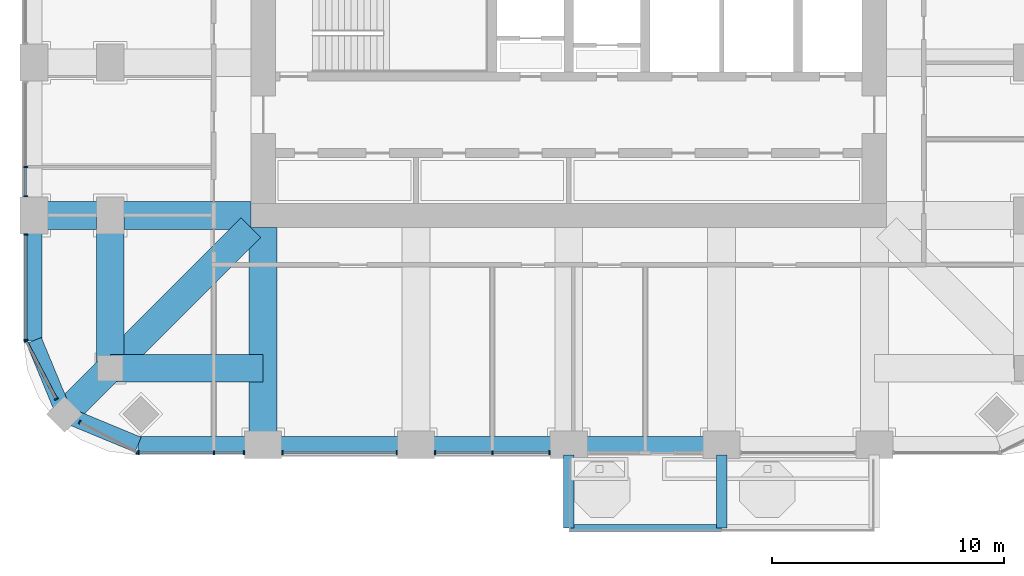
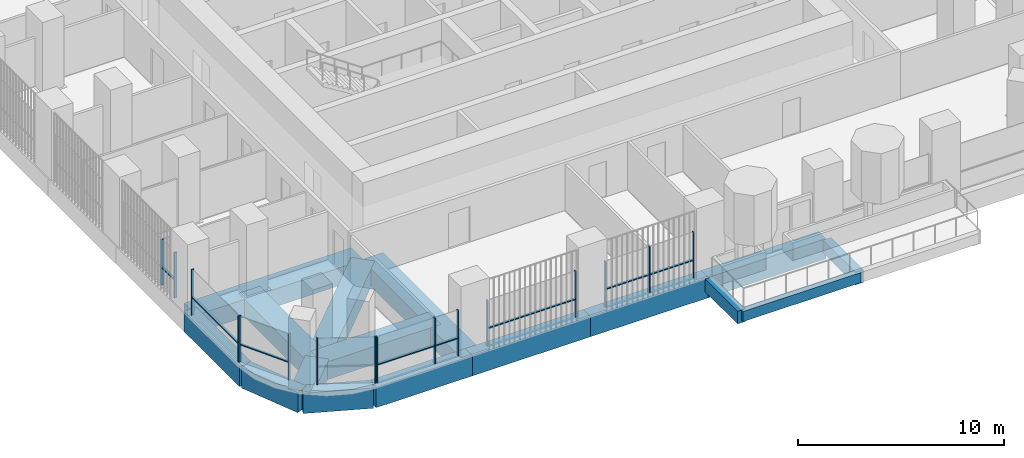
# One storey, part 2 of 19: 24 members, 16 beams, 7 elements without a shape of their own.
"""IFC4 building model written with IfcOpenShell, lengths in metres."""

from ifc_helpers import new_model, si_unit, direction, frame, origin, origin_2d, place, context, subcontext, project, spatial, rectangle, extrude, material, material_profile, profile_set, type_object, element, aggregate, save


model = new_model("IFC4")

# Units and contexts
model_context = context("Model", 3, precision=1e-05, world=origin(), true_north=direction((0.0, 1.0)))
body_context = subcontext(model_context, "Body", "Model", "MODEL_VIEW")
ifc_project = project(units=[si_unit("LENGTHUNIT", "METRE"), si_unit("AREAUNIT", "SQUARE_METRE"), si_unit("VOLUMEUNIT", "CUBIC_METRE"), si_unit("PLANEANGLEUNIT", "RADIAN"), si_unit("MASSUNIT", "GRAM", prefix="KILO")], contexts=[model_context])

# Site, building, storey
site_placement = place(None, origin())
site = spatial("IfcSite", under=ifc_project, at=site_placement, CompositionType="ELEMENT")
building_placement = place(site_placement, origin())
building = spatial("IfcBuilding", under=site, at=building_placement, Name="Cobogo Forest Laboratory Tower", CompositionType="ELEMENT")
storey_placement = place(building_placement, frame((0.0, 0.0, 197.699951171875)))
storey = spatial("IfcBuildingStorey", under=building, at=storey_placement, Name="L45", CompositionType="ELEMENT", Elevation=197.699951171875)

# Beams
ifc_material_1 = material(Name="Concrete HA-40 (C40/50)", Category="concrete")
ifc_material_profile_1 = material_profile(ifc_material_1, rectangle(XDim=0.449951171875, YDim=0.75, at=origin_2d()), Name="RC 450x750")
ifc_profile_set_1 = profile_set([ifc_material_profile_1], Name="Concrete HA-40 (C40/50)")
beam_type_1 = type_object("IfcBeamType", Name="Balcony cantilever beam 450x750", PredefinedType="BEAM", material=ifc_profile_set_1)
for number, where, z_axis, x_axis, name in (
    (1, (26.39990234375, 2.85009765625, -0.625), (0.0, -1.0, 0.0), (1.0, 0.0, 0.0), "CB1 BAL-S1-C1 L45"),
    (2, (33.0, 2.85009765625, -0.625), (0.0, -1.0, 0.0), (1.0, 0.0, 0.0), "CB1 BAL-S1-C2 L45"),
):
    element("IfcBeam", number, at=place(storey_placement, frame(where, z_axis=z_axis, x_axis=x_axis)), inside=storey, type_object=beam_type_1, Name=name, PredefinedType="BEAM", context=body_context, shape_type="SweptSolid", body=[
        extrude(rectangle(XDim=0.449951171875, YDim=0.75, at=origin_2d()), origin(), (0.0, 0.0, 1.0), 3.150146484375),
    ])
ifc_material_profile_2 = material_profile(ifc_material_1, rectangle(XDim=0.300048828125, YDim=0.60009765625, at=origin_2d()), Name="RC 300x600")
ifc_profile_set_2 = profile_set([ifc_material_profile_2], Name="Concrete HA-40 (C40/50)")
beam_type_2 = type_object("IfcBeamType", Name="Balcony edge beam 300x600", PredefinedType="BEAM", material=ifc_profile_set_2)
beam_1_placement = place(storey_placement, frame((26.39990234375, -0.300048828125, -0.550048828125), z_axis=(1.0, 0.0, 0.0), x_axis=(0.0, 1.0, 0.0)))
element("IfcBeam", 3, at=beam_1_placement, inside=storey, type_object=beam_type_2, Name="BB1 BAL-S1-T1 L45", PredefinedType="BEAM", context=body_context, shape_type="SweptSolid", body=[
    extrude(rectangle(XDim=0.300048828125, YDim=0.60009765625, at=origin_2d()), origin(), (0.0, 0.0, 1.0), 6.60009765625),
])
ifc_material_profile_3 = material_profile(ifc_material_1, rectangle(XDim=1.199951171875, YDim=1.050048828125, at=origin_2d()), Name="RC 1200x1050")
ifc_profile_set_3 = profile_set([ifc_material_profile_3], Name="Concrete HA-40 (C40/50)")
beam_type_3 = type_object("IfcBeamType", Name="Laboratory floor wide beam 1200x1050", PredefinedType="BEAM", material=ifc_profile_set_3)
for number, where, z_axis, x_axis, name in (
    (4, (13.199951171875, 12.675048828125, -0.824951171875), (0.0, -1.0, 0.0), (1.0, 0.0, 0.0), "RB1 R-3-S L45"),
    (5, (12.675048828125, 13.199951171875, -0.824951171875), (-1.0, 0.0, 0.0), (0.0, -1.0, 0.0), "RB1 R-C-W L45"),
):
    element("IfcBeam", number, at=place(storey_placement, frame(where, z_axis=z_axis, x_axis=x_axis)), inside=storey, type_object=beam_type_3, Name=name, PredefinedType="BEAM", context=body_context, shape_type="SweptSolid", body=[
        extrude(rectangle(XDim=1.199951171875, YDim=1.050048828125, at=origin_2d()), origin(), (0.0, 0.0, 1.0), 9.375),
    ])
for number, where, z_axis, x_axis, name in (
    (6, (6.60009765625, 6.60009765625, -0.824951171875), (0.0, 1.0, 0.0), (-1.0, 0.0, 0.0), "RB1 G-SW-XC L45"),
    (7, (6.60009765625, 6.60009765625, -0.824951171875), (1.0, 0.0, 0.0), (0.0, 1.0, 0.0), "RB1 G-SW-YC L45"),
):
    element("IfcBeam", number, at=place(storey_placement, frame(where, z_axis=z_axis, x_axis=x_axis)), inside=storey, type_object=beam_type_3, Name=name, PredefinedType="BEAM", context=body_context, shape_type="SweptSolid", body=[
        extrude(rectangle(XDim=1.199951171875, YDim=1.050048828125, at=origin_2d()), origin(), (0.0, 0.0, 1.0), 6.599853515625),
    ])
beam_2_placement = place(storey_placement, frame((4.617919921875, 4.617919921875, -0.824951171875), z_axis=(0.707106781187, 0.707106781187, 0.0), x_axis=(-0.707106781187, 0.707106781187, 0.0)))
element("IfcBeam", 8, at=beam_2_placement, inside=storey, type_object=beam_type_3, Name="RB1 G-SW-D1 L45", PredefinedType="BEAM", context=body_context, shape_type="SweptSolid", body=[
    extrude(rectangle(XDim=1.199951171875, YDim=1.050048828125, at=origin_2d()), origin(), (0.0, 0.0, 1.0), 2.80322265625),
])
beam_3_placement = place(storey_placement, frame((6.60009765625, 6.60009765625, -0.824951171875), z_axis=(0.707106781187, 0.707106781187, 0.0), x_axis=(-0.707106781187, 0.707106781187, 0.0)))
element("IfcBeam", 9, at=beam_3_placement, inside=storey, type_object=beam_type_3, Name="RB1 G-SW-D2 L45", PredefinedType="BEAM", context=body_context, shape_type="SweptSolid", body=[
    extrude(rectangle(XDim=1.199951171875, YDim=1.050048828125, at=origin_2d()), origin(), (0.0, 0.0, 1.0), 8.59130859375),
])

# Curtain wall, members
ifc_material_2 = material(Name="Aluminium curtain wall", Category="aluminium")
curtain_wall_type = type_object("IfcCurtainWallType", Name="CW-2 unitised curtain wall, solar control glazing, laboratory floors zones C and D", PredefinedType="USERDEFINED", material=ifc_material_2)
curtain_wall_1_placement = place(storey_placement, origin())
curtain_wall_1 = element("IfcCurtainWall", 10, at=curtain_wall_1_placement, inside=storey, type_object=curtain_wall_type, Name="Curtain wall 01 L45", ObjectType="UNITISED CURTAIN WALL", PredefinedType="USERDEFINED")
ifc_material_3 = material(Name="Aluminium mullion", Category="aluminium")
ifc_material_profile_4 = material_profile(ifc_material_3, rectangle(XDim=0.06005859375, YDim=0.159912109375, at=origin_2d()), Name="AL 60x160")
ifc_profile_set_4 = profile_set([ifc_material_profile_4], Name="Aluminium mullion")
member_type_1 = type_object("IfcMemberType", Name="MU-1 aluminium mullion 60x160", PredefinedType="MULLION", material=ifc_profile_set_4)
member_1_placement = place(storey_placement, frame((7.830078125, 2.949951171875, 0.0), z_axis=(0.0, 0.0, 1.0), x_axis=(1.0, 0.0, 0.0)))
member_1 = element("IfcMember", 11, at=member_1_placement, type_object=member_type_1, Name="CW-2 mullion 1", PredefinedType="MULLION", context=body_context, shape_type="SweptSolid", body=[
    extrude(rectangle(XDim=0.06005859375, YDim=0.159912109375, at=origin_2d()), origin(), (0.0, 0.0, 1.0), 2.699951171875),
])
member_2_placement = place(storey_placement, frame((11.074951171875, 2.949951171875, 0.0), z_axis=(0.0, 0.0, 1.0), x_axis=(1.0, 0.0, 0.0)))
member_2 = element("IfcMember", 12, at=member_2_placement, type_object=member_type_1, Name="CW-2 mullion 2", PredefinedType="MULLION", context=body_context, shape_type="SweptSolid", body=[
    extrude(rectangle(XDim=0.06005859375, YDim=0.159912109375, at=origin_2d()), origin(), (0.0, 0.0, 1.0), 2.699951171875),
])
member_3_placement = place(storey_placement, frame((12.3701171875, 2.949951171875, 0.0), z_axis=(0.0, 0.0, 1.0), x_axis=(1.0, 0.0, 0.0)))
member_3 = element("IfcMember", 13, at=member_3_placement, type_object=member_type_1, Name="CW-2 mullion 3", PredefinedType="MULLION", context=body_context, shape_type="SweptSolid", body=[
    extrude(rectangle(XDim=0.06005859375, YDim=0.159912109375, at=origin_2d()), origin(), (0.0, 0.0, 1.0), 2.699951171875),
])

curtain_wall_2_placement = place(storey_placement, origin())
curtain_wall_2 = element("IfcCurtainWall", 14, at=curtain_wall_2_placement, inside=storey, type_object=curtain_wall_type, Name="Curtain wall 02 L45", ObjectType="UNITISED CURTAIN WALL", PredefinedType="USERDEFINED")
member_4_placement = place(storey_placement, frame((14.030029296875, 2.949951171875, 0.0), z_axis=(0.0, 0.0, 1.0), x_axis=(1.0, 0.0, 0.0)))
member_4 = element("IfcMember", 15, at=member_4_placement, type_object=member_type_1, Name="CW-2 mullion 1", PredefinedType="MULLION", context=body_context, shape_type="SweptSolid", body=[
    extrude(rectangle(XDim=0.06005859375, YDim=0.159912109375, at=origin_2d()), origin(), (0.0, 0.0, 1.0), 2.699951171875),
])
member_5_placement = place(storey_placement, frame((18.969970703125, 2.949951171875, 0.0), z_axis=(0.0, 0.0, 1.0), x_axis=(1.0, 0.0, 0.0)))
member_5 = element("IfcMember", 16, at=member_5_placement, type_object=member_type_1, Name="CW-2 mullion 2", PredefinedType="MULLION", context=body_context, shape_type="SweptSolid", body=[
    extrude(rectangle(XDim=0.06005859375, YDim=0.159912109375, at=origin_2d()), origin(), (0.0, 0.0, 1.0), 2.699951171875),
])

curtain_wall_3_placement = place(storey_placement, origin())
curtain_wall_3 = element("IfcCurtainWall", 17, at=curtain_wall_3_placement, inside=storey, type_object=curtain_wall_type, Name="Curtain wall 03 L45", ObjectType="UNITISED CURTAIN WALL", PredefinedType="USERDEFINED")
member_6_placement = place(storey_placement, frame((20.6298828125, 2.949951171875, 0.0), z_axis=(0.0, 0.0, 1.0), x_axis=(1.0, 0.0, 0.0)))
member_6 = element("IfcMember", 18, at=member_6_placement, type_object=member_type_1, Name="CW-2 mullion 1", PredefinedType="MULLION", context=body_context, shape_type="SweptSolid", body=[
    extrude(rectangle(XDim=0.06005859375, YDim=0.159912109375, at=origin_2d()), origin(), (0.0, 0.0, 1.0), 2.699951171875),
])
member_7_placement = place(storey_placement, frame((23.10009765625, 2.949951171875, 0.0), z_axis=(0.0, 0.0, 1.0), x_axis=(1.0, 0.0, 0.0)))
member_7 = element("IfcMember", 19, at=member_7_placement, type_object=member_type_1, Name="CW-2 mullion 2", PredefinedType="MULLION", context=body_context, shape_type="SweptSolid", body=[
    extrude(rectangle(XDim=0.06005859375, YDim=0.159912109375, at=origin_2d()), origin(), (0.0, 0.0, 1.0), 2.699951171875),
])
member_8_placement = place(storey_placement, frame((25.570068359375, 2.949951171875, 0.0), z_axis=(0.0, 0.0, 1.0), x_axis=(1.0, 0.0, 0.0)))
member_8 = element("IfcMember", 20, at=member_8_placement, type_object=member_type_1, Name="CW-2 mullion 3", PredefinedType="MULLION", context=body_context, shape_type="SweptSolid", body=[
    extrude(rectangle(XDim=0.06005859375, YDim=0.159912109375, at=origin_2d()), origin(), (0.0, 0.0, 1.0), 2.699951171875),
])

curtain_wall_4_placement = place(storey_placement, origin())
curtain_wall_4 = element("IfcCurtainWall", 21, at=curtain_wall_4_placement, inside=storey, type_object=curtain_wall_type, Name="Curtain wall 27 L45", ObjectType="UNITISED CURTAIN WALL", PredefinedType="USERDEFINED")
member_9_placement = place(storey_placement, frame((2.949951171875, 15.300048828125, 0.0), z_axis=(0.0, 0.0, 1.0), x_axis=(0.0, -1.0, 0.0)))
member_9 = element("IfcMember", 22, at=member_9_placement, type_object=member_type_1, Name="CW-2 mullion 2", PredefinedType="MULLION", context=body_context, shape_type="SweptSolid", body=[
    extrude(rectangle(XDim=0.06005859375, YDim=0.159912109375, at=origin_2d()), origin(), (0.0, 0.0, 1.0), 2.699951171875),
])
member_10_placement = place(storey_placement, frame((2.949951171875, 14.030029296875, 0.0), z_axis=(0.0, 0.0, 1.0), x_axis=(0.0, -1.0, 0.0)))
member_10 = element("IfcMember", 23, at=member_10_placement, type_object=member_type_1, Name="CW-2 mullion 3", PredefinedType="MULLION", context=body_context, shape_type="SweptSolid", body=[
    extrude(rectangle(XDim=0.06005859375, YDim=0.159912109375, at=origin_2d()), origin(), (0.0, 0.0, 1.0), 2.699951171875),
])

curtain_wall_5_placement = place(storey_placement, origin())
curtain_wall_5 = element("IfcCurtainWall", 24, at=curtain_wall_5_placement, inside=storey, type_object=curtain_wall_type, Name="Curtain wall 28 L45", ObjectType="UNITISED CURTAIN WALL", PredefinedType="USERDEFINED")
member_11_placement = place(storey_placement, frame((2.949951171875, 12.3701171875, 0.0), z_axis=(0.0, 0.0, 1.0), x_axis=(0.0, -1.0, 0.0)))
member_11 = element("IfcMember", 25, at=member_11_placement, type_object=member_type_1, Name="CW-2 mullion 1", PredefinedType="MULLION", context=body_context, shape_type="SweptSolid", body=[
    extrude(rectangle(XDim=0.06005859375, YDim=0.159912109375, at=origin_2d()), origin(), (0.0, 0.0, 1.0), 2.699951171875),
])
member_12_placement = place(storey_placement, frame((2.949951171875, 7.830078125, 0.0), z_axis=(0.0, 0.0, 1.0), x_axis=(0.0, -1.0, 0.0)))
member_12 = element("IfcMember", 26, at=member_12_placement, type_object=member_type_1, Name="CW-2 mullion 2", PredefinedType="MULLION", context=body_context, shape_type="SweptSolid", body=[
    extrude(rectangle(XDim=0.06005859375, YDim=0.159912109375, at=origin_2d()), origin(), (0.0, 0.0, 1.0), 2.699951171875),
])

curtain_wall_6_placement = place(storey_placement, origin())
curtain_wall_6 = element("IfcCurtainWall", 27, at=curtain_wall_6_placement, inside=storey, type_object=curtain_wall_type, Name="Curtain wall 29 L45", ObjectType="UNITISED CURTAIN WALL", PredefinedType="USERDEFINED")
member_13_placement = place(storey_placement, frame((2.9638671875, 7.7734375, 0.0), z_axis=(0.0, 0.0, 1.0), x_axis=(0.464283804832, -0.885686484356, 0.0)))
member_13 = element("IfcMember", 28, at=member_13_placement, type_object=member_type_1, Name="CW-2 mullion 1", PredefinedType="MULLION", context=body_context, shape_type="SweptSolid", body=[
    extrude(rectangle(XDim=0.06005859375, YDim=0.159912109375, at=origin_2d()), origin(), (0.0, 0.0, 1.0), 2.699951171875),
])
member_14_placement = place(storey_placement, frame((4.2734375, 5.275634765625, 0.0), z_axis=(0.0, 0.0, 1.0), x_axis=(0.464283804832, -0.885686484356, 0.0)))
member_14 = element("IfcMember", 29, at=member_14_placement, type_object=member_type_1, Name="CW-2 mullion 2", PredefinedType="MULLION", context=body_context, shape_type="SweptSolid", body=[
    extrude(rectangle(XDim=0.06005859375, YDim=0.159912109375, at=origin_2d()), origin(), (0.0, 0.0, 1.0), 2.699951171875),
])

curtain_wall_7_placement = place(storey_placement, origin())
curtain_wall_7 = element("IfcCurtainWall", 30, at=curtain_wall_7_placement, inside=storey, type_object=curtain_wall_type, Name="Curtain wall 30 L45", ObjectType="UNITISED CURTAIN WALL", PredefinedType="USERDEFINED")
member_15_placement = place(storey_placement, frame((5.275634765625, 4.2734375, 0.0), z_axis=(0.0, 0.0, 1.0), x_axis=(0.885686484356, -0.464283804832, 0.0)))
member_15 = element("IfcMember", 31, at=member_15_placement, type_object=member_type_1, Name="CW-2 mullion 1", PredefinedType="MULLION", context=body_context, shape_type="SweptSolid", body=[
    extrude(rectangle(XDim=0.06005859375, YDim=0.159912109375, at=origin_2d()), origin(), (0.0, 0.0, 1.0), 2.699951171875),
])
member_16_placement = place(storey_placement, frame((7.7734375, 2.9638671875, 0.0), z_axis=(0.0, 0.0, 1.0), x_axis=(0.885686484356, -0.464283804832, 0.0)))
member_16 = element("IfcMember", 32, at=member_16_placement, type_object=member_type_1, Name="CW-2 mullion 2", PredefinedType="MULLION", context=body_context, shape_type="SweptSolid", body=[
    extrude(rectangle(XDim=0.06005859375, YDim=0.159912109375, at=origin_2d()), origin(), (0.0, 0.0, 1.0), 2.699951171875),
])
aggregate(curtain_wall_7, [member_15, member_16])

# Beams
ifc_material_profile_5 = material_profile(ifc_material_1, rectangle(XDim=0.699951171875, YDim=1.199951171875, at=origin_2d()), Name="RC 700x1200")
ifc_profile_set_5 = profile_set([ifc_material_profile_5], Name="Concrete HA-40 (C40/50)")
beam_type_4 = type_object("IfcBeamType", Name="Perimeter edge beam 700x1200", PredefinedType="BEAM", material=ifc_profile_set_5)
beam_4_placement = place(storey_placement, frame((13.199951171875, 3.300048828125, -0.89990234375), z_axis=(1.0, 0.0, 0.0), x_axis=(0.0, 1.0, 0.0)))
element("IfcBeam", 33, at=beam_4_placement, inside=storey, type_object=beam_type_4, Name="EB1 E-S1 L45", PredefinedType="BEAM", context=body_context, shape_type="SweptSolid", body=[
    extrude(rectangle(XDim=0.699951171875, YDim=1.199951171875, at=origin_2d()), origin(), (0.0, 0.0, 1.0), 6.60009765625),
])
beam_5_placement = place(storey_placement, frame((19.800048828125, 3.300048828125, -0.89990234375), z_axis=(1.0, 0.0, 0.0), x_axis=(0.0, 1.0, 0.0)))
element("IfcBeam", 34, at=beam_5_placement, inside=storey, type_object=beam_type_4, Name="EB1 E-S2 L45", PredefinedType="BEAM", context=body_context, shape_type="SweptSolid", body=[
    extrude(rectangle(XDim=0.699951171875, YDim=1.199951171875, at=origin_2d()), origin(), (0.0, 0.0, 1.0), 6.599853515625),
])
beam_6_placement = place(storey_placement, frame((26.39990234375, 3.300048828125, -0.89990234375), z_axis=(1.0, 0.0, 0.0), x_axis=(0.0, 1.0, 0.0)))
element("IfcBeam", 35, at=beam_6_placement, inside=storey, type_object=beam_type_4, Name="EB1 E-S3 L45", PredefinedType="BEAM", context=body_context, shape_type="SweptSolid", body=[
    extrude(rectangle(XDim=0.699951171875, YDim=1.199951171875, at=origin_2d()), origin(), (0.0, 0.0, 1.0), 6.60009765625),
])
beam_7_placement = place(storey_placement, frame((13.199951171875, 3.300048828125, -0.89990234375), z_axis=(-1.0, 0.0, 0.0), x_axis=(0.0, -1.0, 0.0)))
element("IfcBeam", 36, at=beam_7_placement, inside=storey, type_object=beam_type_4, Name="EB1 E-SWS1 L45", PredefinedType="BEAM", context=body_context, shape_type="SweptSolid", body=[
    extrude(rectangle(XDim=0.699951171875, YDim=1.199951171875, at=origin_2d()), origin(), (0.0, 0.0, 1.0), 5.39990234375),
])
beam_8_placement = place(storey_placement, frame((7.800048828125, 3.300048828125, -0.89990234375), z_axis=(-0.923901072997, 0.382631424892, 0.0), x_axis=(-0.382631424892, -0.923901072997, 0.0)))
element("IfcBeam", 37, at=beam_8_placement, inside=storey, type_object=beam_type_4, Name="EB1 E-SWS2 L45", PredefinedType="BEAM", context=body_context, shape_type="SweptSolid", body=[
    extrude(rectangle(XDim=0.699951171875, YDim=1.199951171875, at=origin_2d()), origin(), (0.0, 0.0, 1.0), 3.4443359375),
])
beam_9_placement = place(storey_placement, frame((3.300048828125, 13.199951171875, -0.89990234375), z_axis=(0.0, -1.0, 0.0), x_axis=(1.0, 0.0, 0.0)))
element("IfcBeam", 38, at=beam_9_placement, inside=storey, type_object=beam_type_4, Name="EB1 E-SWW1 L45", PredefinedType="BEAM", context=body_context, shape_type="SweptSolid", body=[
    extrude(rectangle(XDim=0.699951171875, YDim=1.199951171875, at=origin_2d()), origin(), (0.0, 0.0, 1.0), 5.39990234375),
])
beam_10_placement = place(storey_placement, frame((3.300048828125, 7.800048828125, -0.89990234375), z_axis=(0.382631424892, -0.923901072997, 0.0), x_axis=(0.923901072997, 0.382631424892, 0.0)))
element("IfcBeam", 39, at=beam_10_placement, inside=storey, type_object=beam_type_4, Name="EB1 E-SWW2 L45", PredefinedType="BEAM", context=body_context, shape_type="SweptSolid", body=[
    extrude(rectangle(XDim=0.699951171875, YDim=1.199951171875, at=origin_2d()), origin(), (0.0, 0.0, 1.0), 3.4443359375),
])

# Member
ifc_material_4 = material(Name="Aluminium transom", Category="aluminium")
ifc_material_profile_6 = material_profile(ifc_material_4, rectangle(XDim=0.1201171875, YDim=0.06005859375, at=origin_2d()), Name="AL 60x120")
ifc_profile_set_6 = profile_set([ifc_material_profile_6], Name="Aluminium transom")
member_type_2 = type_object("IfcMemberType", Name="TR-1 aluminium transom 60x120", PredefinedType="USERDEFINED", material=ifc_profile_set_6)
member_17_placement = place(storey_placement, frame((7.860107421875, 2.949951171875, 1.050048828125), z_axis=(1.0, 0.0, 0.0), x_axis=(0.0, 1.0, 0.0)))
member_17 = element("IfcMember", 40, at=member_17_placement, type_object=member_type_2, Name="CW-2 transom 1.1", ObjectType="TRANSOM", PredefinedType="USERDEFINED", context=body_context, shape_type="SweptSolid", body=[
    extrude(rectangle(XDim=0.1201171875, YDim=0.06005859375, at=origin_2d()), origin(), (0.0, 0.0, 1.0), 3.184814453125),
])

member_18_placement = place(storey_placement, frame((11.10498046875, 2.949951171875, 1.050048828125), z_axis=(1.0, 0.0, 0.0), x_axis=(0.0, 1.0, 0.0)))
member_18 = element("IfcMember", 41, at=member_18_placement, type_object=member_type_2, Name="CW-2 transom 2.1", ObjectType="TRANSOM", PredefinedType="USERDEFINED", context=body_context, shape_type="SweptSolid", body=[
    extrude(rectangle(XDim=0.1201171875, YDim=0.06005859375, at=origin_2d()), origin(), (0.0, 0.0, 1.0), 1.235107421875),
])

aggregate(curtain_wall_1, [member_1, member_2, member_3, member_17, member_18])

member_19_placement = place(storey_placement, frame((14.06005859375, 2.949951171875, 1.050048828125), z_axis=(1.0, 0.0, 0.0), x_axis=(0.0, 1.0, 0.0)))
member_19 = element("IfcMember", 42, at=member_19_placement, type_object=member_type_2, Name="CW-2 transom 1.1", ObjectType="TRANSOM", PredefinedType="USERDEFINED", context=body_context, shape_type="SweptSolid", body=[
    extrude(rectangle(XDim=0.1201171875, YDim=0.06005859375, at=origin_2d()), origin(), (0.0, 0.0, 1.0), 4.8798828125),
])

aggregate(curtain_wall_2, [member_4, member_5, member_19])

member_20_placement = place(storey_placement, frame((20.659912109375, 2.949951171875, 1.050048828125), z_axis=(1.0, 0.0, 0.0), x_axis=(0.0, 1.0, 0.0)))
member_20 = element("IfcMember", 43, at=member_20_placement, type_object=member_type_2, Name="CW-2 transom 1.1", ObjectType="TRANSOM", PredefinedType="USERDEFINED", context=body_context, shape_type="SweptSolid", body=[
    extrude(rectangle(XDim=0.1201171875, YDim=0.06005859375, at=origin_2d()), origin(), (0.0, 0.0, 1.0), 2.41015625),
])

member_21_placement = place(storey_placement, frame((23.1298828125, 2.949951171875, 1.050048828125), z_axis=(1.0, 0.0, 0.0), x_axis=(0.0, 1.0, 0.0)))
member_21 = element("IfcMember", 44, at=member_21_placement, type_object=member_type_2, Name="CW-2 transom 2.1", ObjectType="TRANSOM", PredefinedType="USERDEFINED", context=body_context, shape_type="SweptSolid", body=[
    extrude(rectangle(XDim=0.1201171875, YDim=0.06005859375, at=origin_2d()), origin(), (0.0, 0.0, 1.0), 2.41015625),
])

aggregate(curtain_wall_3, [member_6, member_7, member_8, member_20, member_21])

member_22_placement = place(storey_placement, frame((2.949951171875, 15.27001953125, 1.050048828125), z_axis=(0.0, -1.0, 0.0), x_axis=(1.0, 0.0, 0.0)))
member_22 = element("IfcMember", 45, at=member_22_placement, type_object=member_type_2, Name="CW-2 transom 2.1", ObjectType="TRANSOM", PredefinedType="USERDEFINED", context=body_context, shape_type="SweptSolid", body=[
    extrude(rectangle(XDim=0.1201171875, YDim=0.06005859375, at=origin_2d()), origin(), (0.0, 0.0, 1.0), 1.2099609375),
])

aggregate(curtain_wall_4, [member_9, member_10, member_22])

member_23_placement = place(storey_placement, frame((2.949951171875, 12.340087890625, 1.050048828125), z_axis=(0.0, -1.0, 0.0), x_axis=(1.0, 0.0, 0.0)))
member_23 = element("IfcMember", 46, at=member_23_placement, type_object=member_type_2, Name="CW-2 transom 1.1", ObjectType="TRANSOM", PredefinedType="USERDEFINED", context=body_context, shape_type="SweptSolid", body=[
    extrude(rectangle(XDim=0.1201171875, YDim=0.06005859375, at=origin_2d()), origin(), (0.0, 0.0, 1.0), 4.47998046875),
])

aggregate(curtain_wall_5, [member_11, member_12, member_23])

member_24_placement = place(storey_placement, frame((2.977783203125, 7.746826171875, 1.050048828125), z_axis=(0.464324225592, -0.885665294301, 0.0), x_axis=(0.885665294301, 0.464324225592, 0.0)))
member_24 = element("IfcMember", 47, at=member_24_placement, type_object=member_type_2, Name="CW-2 transom 1.1", ObjectType="TRANSOM", PredefinedType="USERDEFINED", context=body_context, shape_type="SweptSolid", body=[
    extrude(rectangle(XDim=0.1201171875, YDim=0.06005859375, at=origin_2d()), origin(), (0.0, 0.0, 1.0), 2.760498046875),
])

aggregate(curtain_wall_6, [member_13, member_14, member_24])

save(model, "model.ifc")
